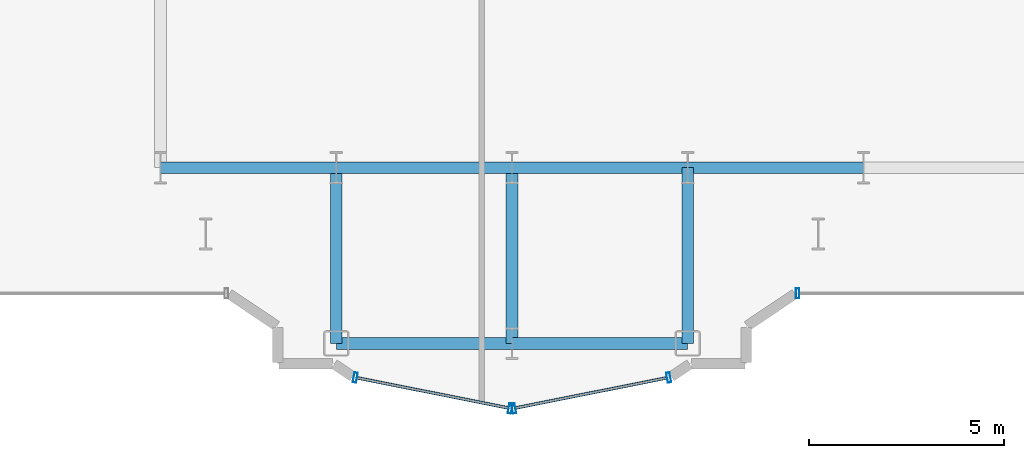
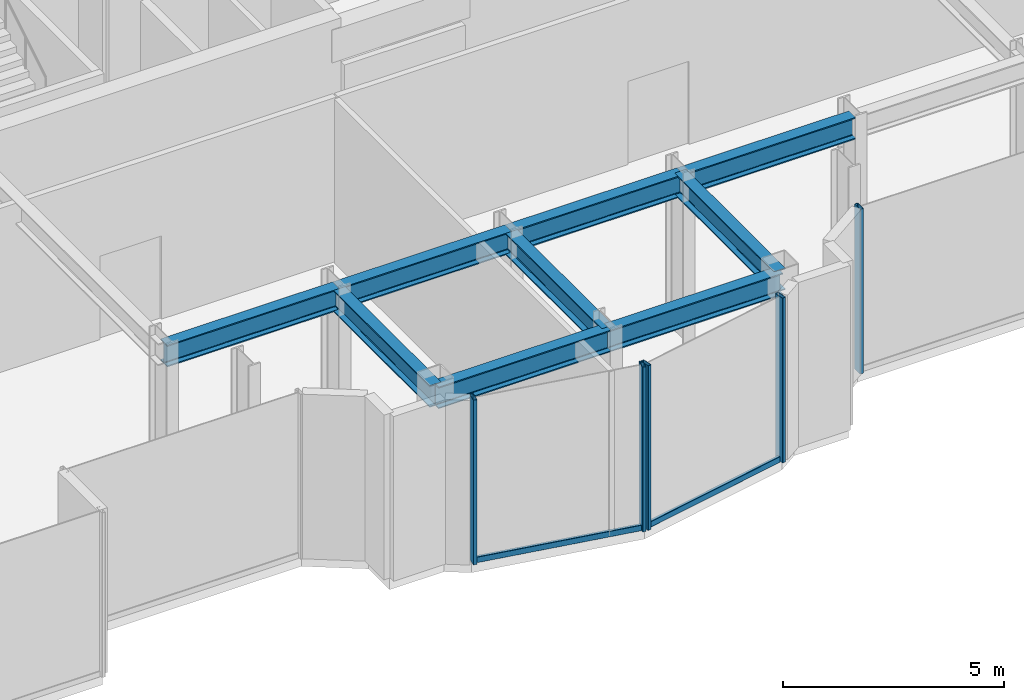
# One storey, part 3 of 20: 9 beams, 7 members, 3 elements without a shape of their own.
"""IFC4 building model written with IfcOpenShell, lengths in metres."""

from ifc_helpers import new_model, si_unit, direction, frame, origin, origin_2d, place, context, subcontext, project, spatial, hollow_rectangle, i_section, extrude, source, transform, mapped, material, layer, layer_set, material_profile, profile_set, type_object, element, aggregate, save


model = new_model("IFC4")

# Units and contexts
model_context = context("Model", 3, precision=1e-05, world=origin(), true_north=direction((0.0, 1.0)))
body_context = subcontext(model_context, "Body", "Model", "MODEL_VIEW")
ifc_project = project(units=[si_unit("LENGTHUNIT", "METRE"), si_unit("AREAUNIT", "SQUARE_METRE"), si_unit("VOLUMEUNIT", "CUBIC_METRE"), si_unit("PLANEANGLEUNIT", "RADIAN"), si_unit("MASSUNIT", "GRAM", prefix="KILO")], contexts=[model_context])

# Site, building, storey
site_placement = place(None, origin())
site = spatial("IfcSite", under=ifc_project, at=site_placement, CompositionType="ELEMENT")
building_placement = place(site_placement, origin())
building = spatial("IfcBuilding", under=site, at=building_placement, Name="Nefas-Gora Pilgrimage Tower", CompositionType="ELEMENT")
storey_placement = place(building_placement, frame((0.0, 0.0, 259.800048828125)))
storey = spatial("IfcBuildingStorey", under=building, at=storey_placement, Name="L65", CompositionType="ELEMENT", Elevation=259.800048828125)

# Beams
ifc_material_1 = material(Name="Steel S355", Category="steel")
ifc_material_profile_1 = material_profile(ifc_material_1, i_section(OverallWidth=0.300048828125, OverallDepth=0.60009765625, WebThickness=0.015380859375, FlangeThickness=0.030029296875, FilletRadius=0.027099609375, at=origin_2d()), Name="HEB 600")
ifc_profile_set_1 = profile_set([ifc_material_profile_1], Name="Steel S355")
beam_type = type_object("IfcBeamType", Name="BM-GIR-HEB600", PredefinedType="BEAM", material=ifc_profile_set_1)
shared_shape_1 = source(origin(), body_context, "Body", "SweptSolid", [
    extrude(i_section(OverallWidth=0.300048828125, OverallDepth=0.60009765625, WebThickness=0.015380859375, FlangeThickness=0.030029296875, FilletRadius=0.027099609375, at=origin_2d()), origin(), (0.0, 0.0, 1.0), 4.5),
])
for number, where, z_axis, x_axis, name in (
    (1, (-11.25, -18.0, 4.25), (1.0, 0.0, 0.0), (0.0, 1.0, 0.0), "L65 G-04 beam"),
    (2, (-6.75, -22.5, 4.25), (0.0, 1.0, 0.0), (-1.0, 0.0, 0.0), "L65 G-04 beam"),
    (3, (-6.75, -22.5, 4.25), (1.0, 0.0, 0.0), (0.0, 1.0, 0.0), "L65 G-04 beam"),
    (4, (-6.75, -18.0, 4.25), (1.0, 0.0, 0.0), (0.0, 1.0, 0.0), "L65 G-04 beam"),
    (5, (-2.25, -22.5, 4.25), (0.0, 1.0, 0.0), (-1.0, 0.0, 0.0), "L65 G-04 beam"),
    (6, (-2.25, -22.5, 4.25), (1.0, 0.0, 0.0), (0.0, 1.0, 0.0), "L65 G-04 beam"),
    (7, (-2.25, -18.0, 4.25), (1.0, 0.0, 0.0), (0.0, 1.0, 0.0), "L65 G-04 beam"),
    (8, (2.25, -22.5, 4.25), (0.0, 1.0, 0.0), (-1.0, 0.0, 0.0), "L65 G-04 beam"),
    (9, (2.25, -18.0, 4.25), (1.0, 0.0, 0.0), (0.0, 1.0, 0.0), "L65 G-04 beam"),
):
    element("IfcBeam", number, at=place(storey_placement, frame(where, z_axis=z_axis, x_axis=x_axis)), inside=storey, type_object=beam_type, Name=name, PredefinedType="BEAM", context=body_context, shape_type="MappedRepresentation", body=[
        mapped(shared_shape_1, transform((0.0, 0.0, 0.0), x_axis=(1.0, 0.0, 0.0), y_axis=(0.0, 1.0, 0.0), z_axis=(0.0, 0.0, 1.0), scale=1.0)),
    ])

# Curtain wall, member
ifc_material_2 = material(Name="Dark ceramic-fritted solar-control aluminium-glass curtain wall", Category="aluminium")
ifc_layer = layer(ifc_material_2, 0.219970703125)
ifc_layer_set = layer_set([ifc_layer], Name="Dark ceramic-fritted solar-control aluminium-glass curtain wall")
curtain_wall_type = type_object("IfcCurtainWallType", Name="CW-SYS-5", PredefinedType="NOTDEFINED", material=ifc_layer_set)
curtain_wall_1_placement = place(storey_placement, origin())
curtain_wall_1 = element("IfcCurtainWall", 10, at=curtain_wall_1_placement, inside=storey, type_object=curtain_wall_type, Name="L65 Unitised Curtain Wall CW5", PredefinedType="NOTDEFINED")
ifc_material_3 = material(Name="Anodised architectural aluminium", Category="aluminium")
ifc_material_profile_2 = material_profile(ifc_material_3, hollow_rectangle(XDim=0.080078125, YDim=0.159912109375, WallThickness=0.00439453125, InnerFilletRadius=0.00439453125, OuterFilletRadius=0.009033203125, at=origin_2d()), Name="ALU TRANSOM 80x160")
ifc_profile_set_2 = profile_set([ifc_material_profile_2], Name="Anodised architectural aluminium")
member_type_1 = type_object("IfcMemberType", Name="CWM-TRN-5", PredefinedType="USERDEFINED", material=ifc_profile_set_2)
shared_shape_2 = source(origin(), body_context, "Body", "SweptSolid", [
    extrude(hollow_rectangle(XDim=0.080078125, YDim=0.159912109375, WallThickness=0.00439453125, InnerFilletRadius=0.00439453125, OuterFilletRadius=0.009033203125, at=origin_2d()), origin(), (0.0, 0.0, 1.0), 3.95654296875),
])
member_1_placement = place(storey_placement, frame((-6.218994140625, -23.3828125, 0.050048828125), z_axis=(0.980781880918, -0.195107411605, 0.0), x_axis=(0.195107411605, 0.980781880918, 0.0)))
member_1 = element("IfcMember", 11, at=member_1_placement, type_object=member_type_1, Name="CW5 Spandrel Transom", ObjectType="TRANSOM", PredefinedType="USERDEFINED", context=body_context, shape_type="MappedRepresentation", body=[
    mapped(shared_shape_2, transform((0.0, 0.0, 0.0), x_axis=(1.0, 0.0, 0.0), y_axis=(0.0, 1.0, 0.0), z_axis=(0.0, 0.0, 1.0), scale=1.0)),
])

curtain_wall_2_placement = place(storey_placement, origin())
curtain_wall_2 = element("IfcCurtainWall", 12, at=curtain_wall_2_placement, inside=storey, type_object=curtain_wall_type, Name="L65 Unitised Curtain Wall CW5", PredefinedType="NOTDEFINED")
member_2_placement = place(storey_placement, frame((-2.16162109375, -24.15478515625, 0.050048828125), z_axis=(0.980781880918, 0.195107411605, 0.0), x_axis=(-0.195107411605, 0.980781880918, 0.0)))
member_2 = element("IfcMember", 13, at=member_2_placement, type_object=member_type_1, Name="CW5 Spandrel Transom", ObjectType="TRANSOM", PredefinedType="USERDEFINED", context=body_context, shape_type="MappedRepresentation", body=[
    mapped(shared_shape_2, transform((0.0, 0.0, 0.0), x_axis=(1.0, 0.0, 0.0), y_axis=(0.0, 1.0, 0.0), z_axis=(0.0, 0.0, 1.0), scale=1.0)),
])

curtain_wall_3_placement = place(storey_placement, origin())
curtain_wall_3 = element("IfcCurtainWall", 14, at=curtain_wall_3_placement, inside=storey, type_object=curtain_wall_type, Name="L65 Unitised Curtain Wall CW5", PredefinedType="NOTDEFINED")
ifc_material_profile_3 = material_profile(ifc_material_3, hollow_rectangle(XDim=0.090087890625, YDim=0.260009765625, WallThickness=0.006103515625, InnerFilletRadius=0.006103515625, OuterFilletRadius=0.011962890625, at=origin_2d()), Name="ALU MULLION 90x260")
ifc_profile_set_3 = profile_set([ifc_material_profile_3], Name="Anodised architectural aluminium")
member_type_2 = type_object("IfcMemberType", Name="CWM-MUL-5", PredefinedType="MULLION", material=ifc_profile_set_3)
shared_shape_3 = source(origin(), body_context, "Body", "SweptSolid", [
    extrude(hollow_rectangle(XDim=0.090087890625, YDim=0.260009765625, WallThickness=0.006103515625, InnerFilletRadius=0.006103515625, OuterFilletRadius=0.011962890625, at=origin_2d()), origin(), (0.0, 0.0, 1.0), 4.550048828125),
])
member_3_placement = place(storey_placement, frame((5.06298828125, -21.219970703125, 0.0), z_axis=(0.0, 0.0, 1.0), x_axis=(1.0, 0.0, 0.0)))
member_3 = element("IfcMember", 15, at=member_3_placement, type_object=member_type_2, Name="CW5 Mullion 1", PredefinedType="MULLION", context=body_context, shape_type="MappedRepresentation", body=[
    mapped(shared_shape_3, transform((0.0, 0.0, 0.0), x_axis=(1.0, 0.0, 0.0), y_axis=(0.0, 1.0, 0.0), z_axis=(0.0, 0.0, 1.0), scale=1.0)),
])
aggregate(curtain_wall_3, [member_3])

# Member
member_4_placement = place(storey_placement, frame((-6.26318359375, -23.3740234375, 0.0), z_axis=(0.0, 0.0, 1.0), x_axis=(0.980782896852, -0.195102304554, 0.0)))
member_4 = element("IfcMember", 16, at=member_4_placement, type_object=member_type_2, Name="CW5 Mullion 1", PredefinedType="MULLION", context=body_context, shape_type="MappedRepresentation", body=[
    mapped(shared_shape_3, transform((0.0, 0.0, 0.0), x_axis=(1.0, 0.0, 0.0), y_axis=(0.0, 1.0, 0.0), z_axis=(0.0, 0.0, 1.0), scale=1.0)),
])

member_5_placement = place(storey_placement, frame((-2.294189453125, -24.16357421875, 0.0), z_axis=(0.0, 0.0, 1.0), x_axis=(0.980782896852, -0.195102304554, 0.0)))
member_5 = element("IfcMember", 17, at=member_5_placement, type_object=member_type_2, Name="CW5 Mullion 2", PredefinedType="MULLION", context=body_context, shape_type="MappedRepresentation", body=[
    mapped(shared_shape_3, transform((0.0, 0.0, 0.0), x_axis=(1.0, 0.0, 0.0), y_axis=(0.0, 1.0, 0.0), z_axis=(0.0, 0.0, 1.0), scale=1.0)),
])

aggregate(curtain_wall_1, [member_4, member_5, member_1])

member_6_placement = place(storey_placement, frame((-2.205810546875, -24.16357421875, 0.0), z_axis=(0.0, 0.0, 1.0), x_axis=(0.980782896852, 0.195102304554, 0.0)))
member_6 = element("IfcMember", 18, at=member_6_placement, type_object=member_type_2, Name="CW5 Mullion 1", PredefinedType="MULLION", context=body_context, shape_type="MappedRepresentation", body=[
    mapped(shared_shape_3, transform((0.0, 0.0, 0.0), x_axis=(1.0, 0.0, 0.0), y_axis=(0.0, 1.0, 0.0), z_axis=(0.0, 0.0, 1.0), scale=1.0)),
])

member_7_placement = place(storey_placement, frame((1.76318359375, -23.3740234375, 0.0), z_axis=(0.0, 0.0, 1.0), x_axis=(0.980782896852, 0.195102304554, 0.0)))
member_7 = element("IfcMember", 19, at=member_7_placement, type_object=member_type_2, Name="CW5 Mullion 2", PredefinedType="MULLION", context=body_context, shape_type="MappedRepresentation", body=[
    mapped(shared_shape_3, transform((0.0, 0.0, 0.0), x_axis=(1.0, 0.0, 0.0), y_axis=(0.0, 1.0, 0.0), z_axis=(0.0, 0.0, 1.0), scale=1.0)),
])

aggregate(curtain_wall_2, [member_6, member_7, member_2])

save(model, "model.ifc")
